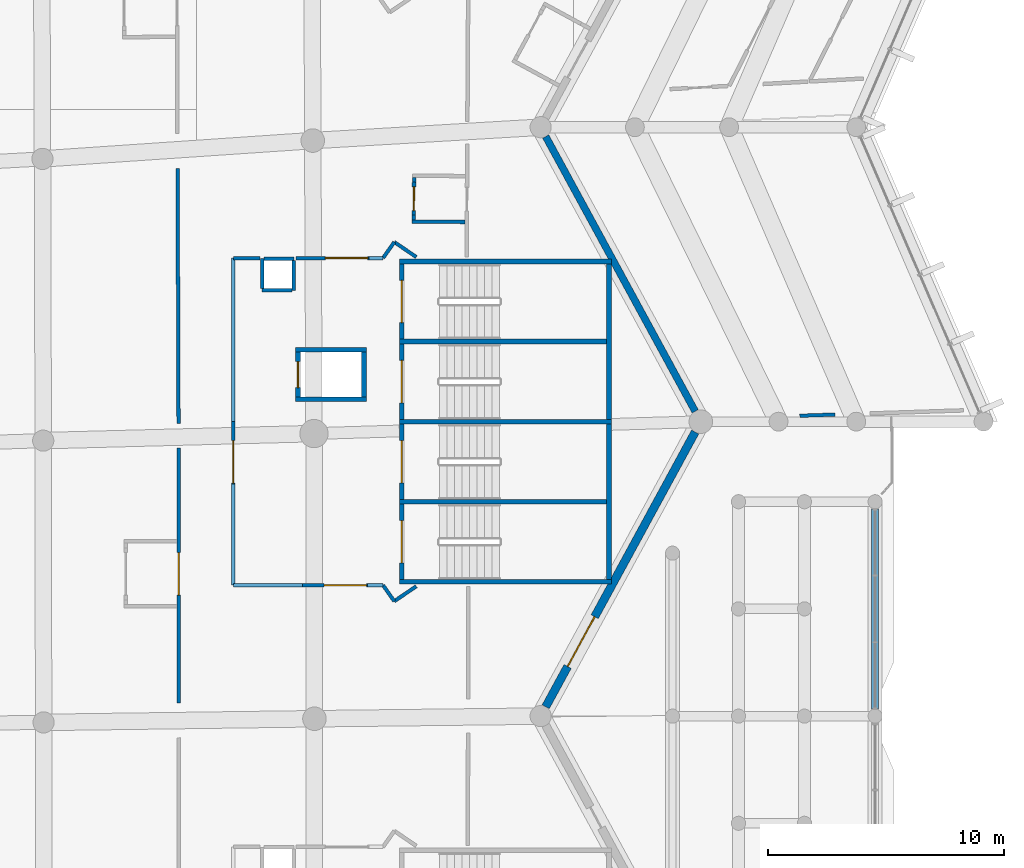
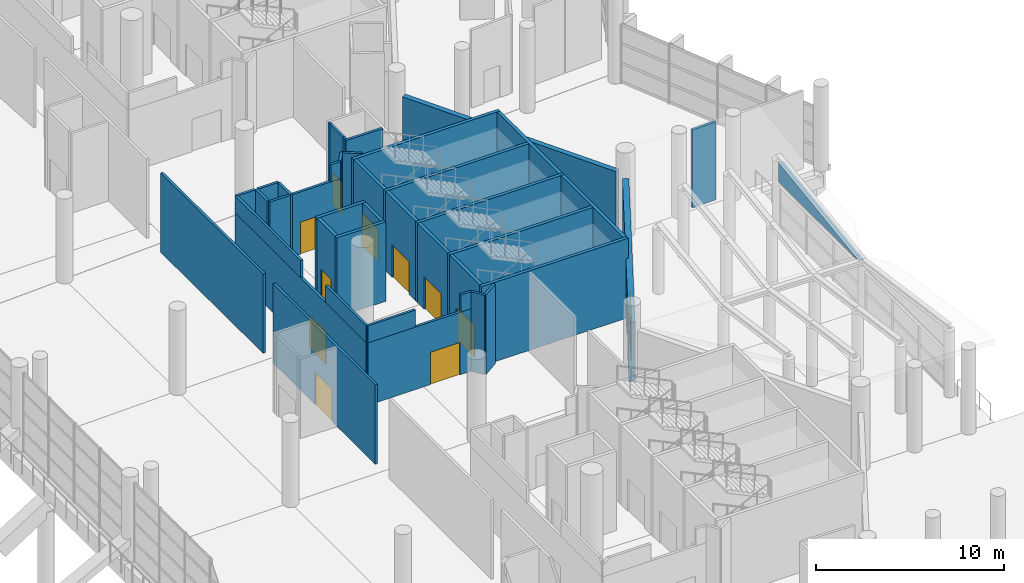
# One storey, part 192 of 271: 42 walls, 11 doors, 11 openings.
"""IFC4 building model written with IfcOpenShell, lengths in metres."""

from ifc_helpers import new_model, si_unit, direction, frame, frame_2d, origin, place, context, subcontext, project, spatial, polyline, rectangle, outline, extrude, material, layer, layer_set, type_object, element, fill, save


model = new_model("IFC4")

# Units and contexts
model_context = context("Model", 3, precision=1e-05, world=origin(), true_north=direction((0.0, 1.0)))
body_context = subcontext(model_context, "Body", "Model", "MODEL_VIEW")
ifc_project = project(units=[si_unit("LENGTHUNIT", "METRE"), si_unit("AREAUNIT", "SQUARE_METRE"), si_unit("VOLUMEUNIT", "CUBIC_METRE"), si_unit("PLANEANGLEUNIT", "RADIAN"), si_unit("MASSUNIT", "GRAM", prefix="KILO")], contexts=[model_context])

# Site, building, storey
site_placement = place(None, origin())
site = spatial("IfcSite", under=ifc_project, at=site_placement, CompositionType="ELEMENT")
building_placement = place(site_placement, origin())
building = spatial("IfcBuilding", under=site, at=building_placement, Name="Meseta Stadium", CompositionType="ELEMENT")
storey_placement = place(building_placement, frame((0.0, 0.0, 6.5)))
storey = spatial("IfcBuildingStorey", under=building, at=storey_placement, Name="L01", CompositionType="ELEMENT", Elevation=6.5)

# Walls
ifc_material_1 = material(Name="Concrete C40/50", Category="concrete")
ifc_layer_1 = layer(ifc_material_1, 0.199951171875)
ifc_layer_set_1 = layer_set([ifc_layer_1], Name="Core divider wall 200")
wall_type_1 = type_object("IfcWallType", Name="Core divider wall 200", PredefinedType="SHEAR", material=ifc_layer_set_1)
for number, where, z_axis, x_axis, name in (
    (1, (97.60009765625, 15.35009765625, 0.0), (0.0, 0.0, 1.0), (-1.0, 0.0, 0.0), "Core 04 L01 stair A divider wall"),
    (2, (97.60009765625, 22.14990234375, 0.0), (0.0, 0.0, 1.0), (-1.0, 0.0, 0.0), "Core 04 L01 stair B divider wall"),
):
    element("IfcWall", number, at=place(storey_placement, frame(where, z_axis=z_axis, x_axis=x_axis)), inside=storey, type_object=wall_type_1, Name=name, PredefinedType="SHEAR", context=body_context, shape_type="SweptSolid", body=[
        extrude(rectangle(XDim=9.0, YDim=0.199951171875, at=frame_2d((4.5, 0.0))), origin(), (0.0, 0.0, 1.0), 5.14990234375),
    ])
ifc_material_2 = material(Name="Concrete C40/50", Category="concrete")
ifc_layer_2 = layer(ifc_material_2, 0.199951171875)
ifc_layer_set_2 = layer_set([ifc_layer_2], Name="Core shaft wall 200")
wall_type_2 = type_object("IfcWallType", Name="Core shaft wall 200", PredefinedType="SHEAR", material=ifc_layer_set_2)
for number, where, z_axis, x_axis, name in (
    (3, (97.60009765625, 11.949951171875, 0.0), (0.0, 0.0, 1.0), (-1.0, 0.0, 0.0), "Core 04 L01 stair wall A-side"),
    (4, (97.60009765625, 18.75, 0.0), (0.0, 0.0, 1.0), (-1.0, 0.0, 0.0), "Core 04 L01 stair wall shared"),
    (5, (97.60009765625, 25.550048828125, 0.0), (0.0, 0.0, 1.0), (-1.0, 0.0, 0.0), "Core 04 L01 stair wall B-side"),
):
    element("IfcWall", number, at=place(storey_placement, frame(where, z_axis=z_axis, x_axis=x_axis)), inside=storey, type_object=wall_type_2, Name=name, PredefinedType="SHEAR", context=body_context, shape_type="SweptSolid", body=[
        extrude(rectangle(XDim=9.0, YDim=0.199951171875, at=frame_2d((4.5, 0.0))), origin(), (0.0, 0.0, 1.0), 5.14990234375),
    ])
for number, where, z_axis, x_axis, name in (
    (6, (97.5, 12.050048828125, 0.0), (0.0, 0.0, 1.0), (0.0, 1.0, 0.0), "Core 04 L01 stair A outer end wall"),
    (7, (97.5, 18.85009765625, 0.0), (0.0, 0.0, 1.0), (0.0, 1.0, 0.0), "Core 04 L01 stair B outer end wall"),
):
    element("IfcWall", number, at=place(storey_placement, frame(where, z_axis=z_axis, x_axis=x_axis)), inside=storey, type_object=wall_type_2, Name=name, PredefinedType="SHEAR", context=body_context, shape_type="SweptSolid", body=[
        extrude(rectangle(XDim=6.599853515625, YDim=0.199951171875, at=frame_2d((3.2998046875, 0.0))), origin(), (0.0, 0.0, 1.0), 5.14990234375),
    ])

# Wall, opening, door
wall_1_placement = place(storey_placement, frame((88.699951171875, 12.050048828125, 0.0), z_axis=(0.0, 0.0, 1.0), x_axis=(0.0, 1.0, 0.0)))
wall_1 = element("IfcWall", 8, at=wall_1_placement, inside=storey, type_object=wall_type_2, Name="Core 04 L01 stair A1 inner end wall", PredefinedType="SHEAR", context=body_context, shape_type="SweptSolid", body=[
    extrude(rectangle(XDim=3.199951171875, YDim=0.199951171875, at=frame_2d((1.60009765625, 0.0))), origin(), (0.0, 0.0, 1.0), 5.14990234375),
])
opening_1_placement = place(wall_1_placement, frame((0.699951171875, 0.0, 0.0)))
opening_1 = element("IfcOpeningElement", 9, at=opening_1_placement, cuts=wall_1, Name="Opening D075", PredefinedType="OPENING", context=body_context, shape_type="SweptSolid", body=[
    extrude(rectangle(XDim=1.800048828125, YDim=2.10009765625, at=frame_2d((0.89990234375, 1.050048828125))), frame((0.0, 0.10986328125, 0.0), z_axis=(0.0, -1.0, 0.0), x_axis=(1.0, 0.0, 0.0)), (0.0, 0.0, 1.0), 0.219970703125),
])
ifc_material_3 = material(Name="Steel", Category="steel")
door_type_1 = type_object("IfcDoorType", Name="Stair door 1800x2100", OperationType="DOUBLE_DOOR_SINGLE_SWING", PredefinedType="DOOR", material=ifc_material_3)
door_1_placement = place(opening_1_placement, origin())
door_1 = element("IfcDoor", 10, at=door_1_placement, inside=storey, type_object=door_type_1, Name="Stair A1 door 04 L01", OperationType="DOUBLE_DOOR_SINGLE_SWING", OverallHeight=2.10009765625, OverallWidth=1.800048828125, PredefinedType="DOOR", context=body_context, shape_type="SweptSolid", body=[
    extrude(rectangle(XDim=1.800048828125, YDim=2.10009765625, at=frame_2d((0.89990234375, 1.050048828125))), frame((0.0, 0.02490234375, 0.0), z_axis=(0.0, -1.0, 0.0), x_axis=(1.0, 0.0, 0.0)), (0.0, 0.0, 1.0), 0.050048828125),
])
fill(opening_1, door_1)

wall_2_placement = place(storey_placement, frame((88.699951171875, 15.449951171875, 0.0), z_axis=(0.0, 0.0, 1.0), x_axis=(0.0, 1.0, 0.0)))
wall_2 = element("IfcWall", 11, at=wall_2_placement, inside=storey, type_object=wall_type_2, Name="Core 04 L01 stair A2 inner end wall", PredefinedType="SHEAR", context=body_context, shape_type="SweptSolid", body=[
    extrude(rectangle(XDim=3.199951171875, YDim=0.199951171875, at=frame_2d((1.60009765625, 0.0))), origin(), (0.0, 0.0, 1.0), 5.14990234375),
])
opening_2_placement = place(wall_2_placement, frame((0.699951171875, 0.0, 0.0)))
opening_2 = element("IfcOpeningElement", 12, at=opening_2_placement, cuts=wall_2, Name="Opening D076", PredefinedType="OPENING", context=body_context, shape_type="SweptSolid", body=[
    extrude(rectangle(XDim=1.800048828125, YDim=2.10009765625, at=frame_2d((0.89990234375, 1.050048828125))), frame((0.0, 0.10986328125, 0.0), z_axis=(0.0, -1.0, 0.0), x_axis=(1.0, 0.0, 0.0)), (0.0, 0.0, 1.0), 0.219970703125),
])
door_2_placement = place(opening_2_placement, origin())
door_2 = element("IfcDoor", 13, at=door_2_placement, inside=storey, type_object=door_type_1, Name="Stair A2 door 04 L01", OperationType="DOUBLE_DOOR_SINGLE_SWING", OverallHeight=2.10009765625, OverallWidth=1.800048828125, PredefinedType="DOOR", context=body_context, shape_type="SweptSolid", body=[
    extrude(rectangle(XDim=1.800048828125, YDim=2.10009765625, at=frame_2d((0.89990234375, 1.050048828125))), frame((0.0, 0.02490234375, 0.0), z_axis=(0.0, -1.0, 0.0), x_axis=(1.0, 0.0, 0.0)), (0.0, 0.0, 1.0), 0.050048828125),
])
fill(opening_2, door_2)

wall_3_placement = place(storey_placement, frame((88.699951171875, 18.85009765625, 0.0), z_axis=(0.0, 0.0, 1.0), x_axis=(0.0, 1.0, 0.0)))
wall_3 = element("IfcWall", 14, at=wall_3_placement, inside=storey, type_object=wall_type_2, Name="Core 04 L01 stair B1 inner end wall", PredefinedType="SHEAR", context=body_context, shape_type="SweptSolid", body=[
    extrude(rectangle(XDim=3.199951171875, YDim=0.199951171875, at=frame_2d((1.60009765625, 0.0))), origin(), (0.0, 0.0, 1.0), 5.14990234375),
])
opening_3_placement = place(wall_3_placement, frame((0.699951171875, 0.0, 0.0)))
opening_3 = element("IfcOpeningElement", 15, at=opening_3_placement, cuts=wall_3, Name="Opening D077", PredefinedType="OPENING", context=body_context, shape_type="SweptSolid", body=[
    extrude(rectangle(XDim=1.800048828125, YDim=2.10009765625, at=frame_2d((0.89990234375, 1.050048828125))), frame((0.0, 0.10986328125, 0.0), z_axis=(0.0, -1.0, 0.0), x_axis=(1.0, 0.0, 0.0)), (0.0, 0.0, 1.0), 0.219970703125),
])
door_3_placement = place(opening_3_placement, origin())
door_3 = element("IfcDoor", 16, at=door_3_placement, inside=storey, type_object=door_type_1, Name="Stair B1 door 04 L01", OperationType="DOUBLE_DOOR_SINGLE_SWING", OverallHeight=2.10009765625, OverallWidth=1.800048828125, PredefinedType="DOOR", context=body_context, shape_type="SweptSolid", body=[
    extrude(rectangle(XDim=1.800048828125, YDim=2.10009765625, at=frame_2d((0.89990234375, 1.050048828125))), frame((0.0, 0.02490234375, 0.0), z_axis=(0.0, -1.0, 0.0), x_axis=(1.0, 0.0, 0.0)), (0.0, 0.0, 1.0), 0.050048828125),
])
fill(opening_3, door_3)

wall_4_placement = place(storey_placement, frame((88.699951171875, 22.25, 0.0), z_axis=(0.0, 0.0, 1.0), x_axis=(0.0, 1.0, 0.0)))
wall_4 = element("IfcWall", 17, at=wall_4_placement, inside=storey, type_object=wall_type_2, Name="Core 04 L01 stair B2 inner end wall", PredefinedType="SHEAR", context=body_context, shape_type="SweptSolid", body=[
    extrude(rectangle(XDim=3.199951171875, YDim=0.199951171875, at=frame_2d((1.60009765625, 0.0))), origin(), (0.0, 0.0, 1.0), 5.14990234375),
])
opening_4_placement = place(wall_4_placement, frame((0.699951171875, 0.0, 0.0)))
opening_4 = element("IfcOpeningElement", 18, at=opening_4_placement, cuts=wall_4, Name="Opening D078", PredefinedType="OPENING", context=body_context, shape_type="SweptSolid", body=[
    extrude(rectangle(XDim=1.800048828125, YDim=2.10009765625, at=frame_2d((0.89990234375, 1.050048828125))), frame((0.0, 0.10986328125, 0.0), z_axis=(0.0, -1.0, 0.0), x_axis=(1.0, 0.0, 0.0)), (0.0, 0.0, 1.0), 0.219970703125),
])
door_4_placement = place(opening_4_placement, origin())
door_4 = element("IfcDoor", 19, at=door_4_placement, inside=storey, type_object=door_type_1, Name="Stair B2 door 04 L01", OperationType="DOUBLE_DOOR_SINGLE_SWING", OverallHeight=2.10009765625, OverallWidth=1.800048828125, PredefinedType="DOOR", context=body_context, shape_type="SweptSolid", body=[
    extrude(rectangle(XDim=1.800048828125, YDim=2.10009765625, at=frame_2d((0.89990234375, 1.050048828125))), frame((0.0, 0.02490234375, 0.0), z_axis=(0.0, -1.0, 0.0), x_axis=(1.0, 0.0, 0.0)), (0.0, 0.0, 1.0), 0.050048828125),
])
fill(opening_4, door_4)

# Walls
for number, where, z_axis, x_axis, name in (
    (20, (87.199951171875, 19.699951171875, 0.0), (0.0, 0.0, 1.0), (-1.0, 0.0, 0.0), "Core 04 L01 lift shaft wall left"),
    (21, (87.199951171875, 21.800048828125, 0.0), (0.0, 0.0, 1.0), (-1.0, 0.0, 0.0), "Core 04 L01 lift shaft wall right"),
):
    element("IfcWall", number, at=place(storey_placement, frame(where, z_axis=z_axis, x_axis=x_axis)), inside=storey, type_object=wall_type_2, Name=name, PredefinedType="SHEAR", context=body_context, shape_type="SweptSolid", body=[
        extrude(rectangle(XDim=3.0, YDim=0.199951171875, at=frame_2d((1.5, 0.0))), origin(), (0.0, 0.0, 1.0), 5.14990234375),
    ])
wall_5_placement = place(storey_placement, frame((87.10009765625, 19.800048828125, 0.0), z_axis=(0.0, 0.0, 1.0), x_axis=(0.0, 1.0, 0.0)))
element("IfcWall", 22, at=wall_5_placement, inside=storey, type_object=wall_type_2, Name="Core 04 L01 lift shaft back wall", PredefinedType="SHEAR", context=body_context, shape_type="SweptSolid", body=[
    extrude(rectangle(XDim=1.89990234375, YDim=0.199951171875, at=frame_2d((0.949951171875, 0.0))), origin(), (0.0, 0.0, 1.0), 5.14990234375),
])

# Wall, opening, door
wall_6_placement = place(storey_placement, frame((84.300048828125, 19.800048828125, 0.0), z_axis=(0.0, 0.0, 1.0), x_axis=(0.0, 1.0, 0.0)))
wall_6 = element("IfcWall", 23, at=wall_6_placement, inside=storey, type_object=wall_type_2, Name="Core 04 L01 lift shaft front wall", PredefinedType="SHEAR", context=body_context, shape_type="SweptSolid", body=[
    extrude(rectangle(XDim=1.89990234375, YDim=0.199951171875, at=frame_2d((0.949951171875, 0.0))), origin(), (0.0, 0.0, 1.0), 5.14990234375),
])
opening_5_placement = place(wall_6_placement, frame((0.39990234375, 0.0, 0.0)))
opening_5 = element("IfcOpeningElement", 24, at=opening_5_placement, cuts=wall_6, Name="Opening LD21", PredefinedType="OPENING", context=body_context, shape_type="SweptSolid", body=[
    extrude(rectangle(XDim=1.10009765625, YDim=2.10009765625, at=frame_2d((0.550048828125, 1.050048828125))), frame((0.0, 0.10986328125, 0.0), z_axis=(0.0, -1.0, 0.0), x_axis=(1.0, 0.0, 0.0)), (0.0, 0.0, 1.0), 0.219970703125),
])
ifc_material_4 = material(Name="Steel", Category="steel")
door_type_2 = type_object("IfcDoorType", Name="Lift landing door 1100x2100", OperationType="SLIDING_TO_LEFT", PredefinedType="DOOR", material=ifc_material_4)
door_5_placement = place(opening_5_placement, origin())
door_5 = element("IfcDoor", 25, at=door_5_placement, inside=storey, type_object=door_type_2, Name="Lift landing door LD21", OperationType="SLIDING_TO_LEFT", OverallHeight=2.10009765625, OverallWidth=1.10009765625, PredefinedType="DOOR", context=body_context, shape_type="SweptSolid", body=[
    extrude(rectangle(XDim=1.10009765625, YDim=2.10009765625, at=frame_2d((0.550048828125, 1.050048828125))), frame((0.0, 0.02490234375, 0.0), z_axis=(0.0, -1.0, 0.0), x_axis=(1.0, 0.0, 0.0)), (0.0, 0.0, 1.0), 0.050048828125),
])
fill(opening_5, door_5)

# Wall
ifc_material_5 = material(Name="Precast concrete C40/50", Category="concrete")
ifc_layer_3 = layer(ifc_material_5, 0.300048828125)
ifc_layer_set_3 = layer_set([ifc_layer_3], Name="Gate facade panel wall 300")
wall_type_3 = type_object("IfcWallType", Name="Gate facade panel wall 300", PredefinedType="SOLIDWALL", material=ifc_layer_set_3)
wall_7_placement = place(storey_placement, frame((108.800048828125, 6.550048828125, 2.99609375), z_axis=(0.0, 0.0, 1.0), x_axis=(0.0, 1.0, 0.0)))
element("IfcWall", 26, at=wall_7_placement, inside=storey, type_object=wall_type_3, Name="Gate 1 gable panel wall", PredefinedType="SOLIDWALL", context=body_context, shape_type="SweptSolid", body=[
    extrude(outline(polyline([(0.0, 0.0), (8.5, 0.0), (8.5, 1.241943359375), (0.0, 0.052001953125), (0.0, 0.0)])), frame((0.0, 0.14990234375, 0.0), z_axis=(0.0, -1.0, 0.0), x_axis=(1.0, 0.0, 0.0)), (0.0, 0.0, 1.0), 0.300048828125),
])

# Wall, opening, door
ifc_material_6 = material(Name="Masonry blockwork", Category="masonry")
ifc_layer_4 = layer(ifc_material_6, 0.14990234375)
ifc_layer_set_4 = layer_set([ifc_layer_4], Name="Partition 150")
wall_type_4 = type_object("IfcWallType", Name="Partition 150", PredefinedType="PARTITIONING", material=ifc_layer_set_4)
wall_8_placement = place(storey_placement, frame((79.229736328125, 17.64013671875, 0.0), z_axis=(0.0, 0.0, 1.0), x_axis=(0.0007662833, -0.999999706405, 0.0)))
wall_8 = element("IfcWall", 27, at=wall_8_placement, inside=storey, type_object=wall_type_4, Name="Partition L01 L01-cell02-0-0", PredefinedType="PARTITIONING", context=body_context, shape_type="SweptSolid", body=[
    extrude(rectangle(XDim=10.83251953125, YDim=0.14990234375, at=frame_2d((5.416259765625, 0.0))), origin(), (0.0, 0.0, 1.0), 5.14990234375),
])
opening_6_placement = place(wall_8_placement, frame((4.449951171875, 0.0, 0.0)))
opening_6 = element("IfcOpeningElement", 28, at=opening_6_placement, cuts=wall_8, Name="Opening D642", PredefinedType="OPENING", context=body_context, shape_type="SweptSolid", body=[
    extrude(rectangle(XDim=1.800048828125, YDim=2.10009765625, at=frame_2d((0.89990234375, 1.050048828125))), frame((0.0, 0.0849609375, 0.0), z_axis=(0.0, -1.0, 0.0), x_axis=(1.0, 0.0, 0.0)), (0.0, 0.0, 1.0), 0.169921875),
])
ifc_material_7 = material(Name="Steel", Category="steel")
door_type_3 = type_object("IfcDoorType", Name="Fire double door 1800x2100 EI2 60", OperationType="DOUBLE_DOOR_SINGLE_SWING", PredefinedType="DOOR", material=ifc_material_7)
door_6_placement = place(opening_6_placement, origin())
door_6 = element("IfcDoor", 29, at=door_6_placement, inside=storey, type_object=door_type_3, Name="Door D642", OperationType="DOUBLE_DOOR_SINGLE_SWING", OverallHeight=2.10009765625, OverallWidth=1.800048828125, PredefinedType="DOOR", context=body_context, shape_type="SweptSolid", body=[
    extrude(rectangle(XDim=1.800048828125, YDim=2.10009765625, at=frame_2d((0.89990234375, 1.050048828125))), frame((0.0, 0.02490234375, 0.0), z_axis=(0.0, -1.0, 0.0), x_axis=(1.0, 0.0, 0.0)), (0.0, 0.0, 1.0), 0.050048828125),
])
fill(opening_6, door_6)

# Walls
wall_9_placement = place(storey_placement, frame((79.186279296875, 29.50390625, 0.0), z_axis=(0.0, 0.0, 1.0), x_axis=(0.003787510032, -0.999992827358, 0.0)))
element("IfcWall", 30, at=wall_9_placement, inside=storey, type_object=wall_type_4, Name="Partition L01 L01-cell03-0-0", PredefinedType="PARTITIONING", context=body_context, shape_type="SweptSolid", body=[
    extrude(rectangle(XDim=10.8291015625, YDim=0.14990234375, at=frame_2d((5.41455078125, 0.0))), origin(), (0.0, 0.0, 1.0), 5.14990234375),
])
wall_10_placement = place(storey_placement, frame((107.0888671875, 19.049072265625, 0.0), z_axis=(0.0, 0.0, 1.0), x_axis=(-0.999457207836, -0.03294373545, 0.0)))
element("IfcWall", 31, at=wall_10_placement, inside=storey, type_object=wall_type_4, Name="Partition L01 L01-ring03-0w", PredefinedType="PARTITIONING", context=body_context, shape_type="SweptSolid", body=[
    extrude(rectangle(XDim=1.489501953125, YDim=0.14990234375, at=frame_2d((0.74462890625, 0.0))), origin(), (0.0, 0.0, 1.0), 5.050048828125),
])
wall_11_placement = place(storey_placement, frame((84.125, 24.324951171875, 0.0), z_axis=(0.0, 0.0, 1.0), x_axis=(0.0, 1.0, 0.0)))
element("IfcWall", 32, at=wall_11_placement, inside=storey, type_object=wall_type_4, Name="Pressurisation shaft wall L01 core 04", PredefinedType="PARTITIONING", context=body_context, shape_type="SweptSolid", body=[
    extrude(rectangle(XDim=1.275146484375, YDim=0.14990234375, at=frame_2d((0.6376953125, 0.0))), origin(), (0.0, 0.0, 1.0), 5.14990234375),
])
wall_12_placement = place(storey_placement, frame((84.125, 25.675048828125, 0.0), z_axis=(0.0, 0.0, 1.0), x_axis=(-1.0, 0.0, 0.0)))
element("IfcWall", 33, at=wall_12_placement, inside=storey, type_object=wall_type_4, Name="Pressurisation shaft wall L01 core 04", PredefinedType="PARTITIONING", context=body_context, shape_type="SweptSolid", body=[
    extrude(rectangle(XDim=1.27490234375, YDim=0.14990234375, at=frame_2d((0.637451171875, 0.0))), origin(), (0.0, 0.0, 1.0), 5.14990234375),
])
for number, where, z_axis, x_axis, name in (
    (34, (82.77490234375, 25.675048828125, 0.0), (0.0, 0.0, 1.0), (0.0, -1.0, 0.0), "Pressurisation shaft wall L01 core 04"),
    (35, (82.77490234375, 24.324951171875, 0.0), (0.0, 0.0, 1.0), (1.0, 0.0, 0.0), "Pressurisation shaft wall L01 core 04"),
):
    element("IfcWall", number, at=place(storey_placement, frame(where, z_axis=z_axis, x_axis=x_axis)), inside=storey, type_object=wall_type_4, Name=name, PredefinedType="PARTITIONING", context=body_context, shape_type="SweptSolid", body=[
        extrude(rectangle(XDim=1.275146484375, YDim=0.14990234375, at=frame_2d((0.6376953125, 0.0))), origin(), (0.0, 0.0, 1.0), 5.14990234375),
    ])
wall_13_placement = place(storey_placement, frame((89.31982421875, 25.739501953125, 0.0), z_axis=(0.0, 0.0, 1.0), x_axis=(-0.826749248939, 0.562570599462, 0.0)))
element("IfcWall", 36, at=wall_13_placement, inside=storey, type_object=wall_type_4, Name="Stair vestibule wall L01 core 04", PredefinedType="PARTITIONING", context=body_context, shape_type="SweptSolid", body=[
    extrude(rectangle(XDim=1.12744140625, YDim=0.14990234375, at=frame_2d((0.563720703125, 0.0))), origin(), (0.0, 0.0, 1.0), 5.14990234375),
])
wall_14_placement = place(storey_placement, frame((88.3876953125, 26.373779296875, 0.0), z_axis=(0.0, 0.0, 1.0), x_axis=(-0.5761634622, -0.817334487726, 0.0)))
element("IfcWall", 37, at=wall_14_placement, inside=storey, type_object=wall_type_4, Name="Stair vestibule wall L01 core 04", PredefinedType="PARTITIONING", context=body_context, shape_type="SweptSolid", body=[
    extrude(rectangle(XDim=0.830078125, YDim=0.14990234375, at=frame_2d((0.4150390625, 0.0))), origin(), (0.0, 0.0, 1.0), 5.14990234375),
])

# Wall, opening, door
wall_15_placement = place(storey_placement, frame((87.909423828125, 25.6953125, 0.0), z_axis=(0.0, 0.0, 1.0), x_axis=(-0.999999997827, -6.5919578e-05, 0.0)))
wall_15 = element("IfcWall", 38, at=wall_15_placement, inside=storey, type_object=wall_type_4, Name="Stair vestibule wall L01 core 04", PredefinedType="PARTITIONING", context=body_context, shape_type="SweptSolid", body=[
    extrude(rectangle(XDim=3.70361328125, YDim=0.14990234375, at=frame_2d((1.851806640625, 0.0))), origin(), (0.0, 0.0, 1.0), 4.050048828125),
])
opening_7_placement = place(wall_15_placement, frame((0.64990234375, 0.0, 0.0)))
opening_7 = element("IfcOpeningElement", 39, at=opening_7_placement, cuts=wall_15, Name="Opening D754", PredefinedType="OPENING", context=body_context, shape_type="SweptSolid", body=[
    extrude(rectangle(XDim=1.800048828125, YDim=2.10009765625, at=frame_2d((0.89990234375, 1.050048828125))), frame((0.0, 0.0849609375, 0.0), z_axis=(0.0, -1.0, 0.0), x_axis=(1.0, 0.0, 0.0)), (0.0, 0.0, 1.0), 0.169921875),
])
door_7_placement = place(opening_7_placement, origin())
door_7 = element("IfcDoor", 40, at=door_7_placement, inside=storey, type_object=door_type_3, Name="Stair vestibule door L01 core 04", OperationType="DOUBLE_DOOR_SINGLE_SWING", OverallHeight=2.10009765625, OverallWidth=1.800048828125, PredefinedType="DOOR", context=body_context, shape_type="SweptSolid", body=[
    extrude(rectangle(XDim=1.800048828125, YDim=2.10009765625, at=frame_2d((0.89990234375, 1.050048828125))), frame((0.0, 0.02490234375, 0.0), z_axis=(0.0, -1.0, 0.0), x_axis=(1.0, 0.0, 0.0)), (0.0, 0.0, 1.0), 0.050048828125),
])
fill(opening_7, door_7)

# Walls
wall_16_placement = place(storey_placement, frame((87.909423828125, 25.6953125, 4.050048828125), z_axis=(0.0, 0.0, 1.0), x_axis=(-1.0, 0.0, 0.0)))
element("IfcWall", 41, at=wall_16_placement, inside=storey, type_object=wall_type_4, Name="Stair vestibule wall L01 core 04", PredefinedType="PARTITIONING", context=body_context, shape_type="SweptSolid", body=[
    extrude(rectangle(XDim=0.599853515625, YDim=0.14990234375, at=frame_2d((0.2998046875, 0.0))), origin(), (0.0, 0.0, 1.0), 1.099853515625),
])
wall_17_placement = place(storey_placement, frame((82.68994140625, 25.695068359375, 0.0), z_axis=(0.0, 0.0, 1.0), x_axis=(-1.0, 0.0, 0.0)))
element("IfcWall", 42, at=wall_17_placement, inside=storey, type_object=wall_type_4, Name="Stair vestibule wall L01 core 04", PredefinedType="PARTITIONING", context=body_context, shape_type="SweptSolid", body=[
    extrude(rectangle(XDim=1.135009765625, YDim=0.14990234375, at=frame_2d((0.5673828125, 0.0))), origin(), (0.0, 0.0, 1.0), 5.14990234375),
])

# Wall, opening, door
wall_18_placement = place(storey_placement, frame((81.554931640625, 25.695068359375, 0.0), z_axis=(0.0, 0.0, 1.0), x_axis=(0.0, -1.0, 0.0)))
wall_18 = element("IfcWall", 43, at=wall_18_placement, inside=storey, type_object=wall_type_4, Name="Stair vestibule wall L01 core 04", PredefinedType="PARTITIONING", context=body_context, shape_type="SweptSolid", body=[
    extrude(rectangle(XDim=13.89013671875, YDim=0.14990234375, at=frame_2d((6.945068359375, 0.0))), origin(), (0.0, 0.0, 1.0), 4.050048828125),
])
opening_8_placement = place(wall_18_placement, frame((7.75, 0.0, 0.0)))
opening_8 = element("IfcOpeningElement", 44, at=opening_8_placement, cuts=wall_18, Name="Opening D753", PredefinedType="OPENING", context=body_context, shape_type="SweptSolid", body=[
    extrude(rectangle(XDim=1.800048828125, YDim=2.10009765625, at=frame_2d((0.89990234375, 1.050048828125))), frame((0.0, 0.0849609375, 0.0), z_axis=(0.0, -1.0, 0.0), x_axis=(1.0, 0.0, 0.0)), (0.0, 0.0, 1.0), 0.169921875),
])
door_8_placement = place(opening_8_placement, origin())
door_8 = element("IfcDoor", 45, at=door_8_placement, inside=storey, type_object=door_type_3, Name="Stair vestibule door L01 core 04", OperationType="DOUBLE_DOOR_SINGLE_SWING", OverallHeight=2.10009765625, OverallWidth=1.800048828125, PredefinedType="DOOR", context=body_context, shape_type="SweptSolid", body=[
    extrude(rectangle(XDim=1.800048828125, YDim=2.10009765625, at=frame_2d((0.89990234375, 1.050048828125))), frame((0.0, 0.02490234375, 0.0), z_axis=(0.0, -1.0, 0.0), x_axis=(1.0, 0.0, 0.0)), (0.0, 0.0, 1.0), 0.050048828125),
])
fill(opening_8, door_8)

# Walls
wall_19_placement = place(storey_placement, frame((81.554931640625, 25.695068359375, 4.050048828125), z_axis=(0.0, 0.0, 1.0), x_axis=(0.0, -1.0, 0.0)))
element("IfcWall", 46, at=wall_19_placement, inside=storey, type_object=wall_type_4, Name="Stair vestibule wall L01 core 04", PredefinedType="PARTITIONING", context=body_context, shape_type="SweptSolid", body=[
    extrude(rectangle(XDim=6.945068359375, YDim=0.14990234375, at=frame_2d((3.47265625, 0.0))), origin(), (0.0, 0.0, 1.0), 1.099853515625),
])
wall_20_placement = place(storey_placement, frame((81.554931640625, 16.094970703125, 4.050048828125), z_axis=(0.0, 0.0, 1.0), x_axis=(0.0, -1.0, 0.0)))
element("IfcWall", 47, at=wall_20_placement, inside=storey, type_object=wall_type_4, Name="Stair vestibule wall L01 core 04", PredefinedType="PARTITIONING", context=body_context, shape_type="SweptSolid", body=[
    extrude(rectangle(XDim=4.2900390625, YDim=0.14990234375, at=frame_2d((2.14501953125, 0.0))), origin(), (0.0, 0.0, 1.0), 1.099853515625),
])

# Wall, opening, door
wall_21_placement = place(storey_placement, frame((81.554931640625, 11.804931640625, 0.0), z_axis=(0.0, 0.0, 1.0), x_axis=(1.0, 0.0, 0.0)))
wall_21 = element("IfcWall", 48, at=wall_21_placement, inside=storey, type_object=wall_type_4, Name="Stair vestibule wall L01 core 04", PredefinedType="PARTITIONING", context=body_context, shape_type="SweptSolid", body=[
    extrude(rectangle(XDim=6.354248046875, YDim=0.14990234375, at=frame_2d((3.17724609375, 0.0))), origin(), (0.0, 0.0, 1.0), 4.050048828125),
])
opening_9_placement = place(wall_21_placement, frame((3.85009765625, 0.0, 0.0)))
opening_9 = element("IfcOpeningElement", 49, at=opening_9_placement, cuts=wall_21, Name="Opening D755", PredefinedType="OPENING", context=body_context, shape_type="SweptSolid", body=[
    extrude(rectangle(XDim=1.800048828125, YDim=2.10009765625, at=frame_2d((0.89990234375, 1.050048828125))), frame((0.0, 0.0849609375, 0.0), z_axis=(0.0, -1.0, 0.0), x_axis=(1.0, 0.0, 0.0)), (0.0, 0.0, 1.0), 0.169921875),
])
door_9_placement = place(opening_9_placement, origin())
door_9 = element("IfcDoor", 50, at=door_9_placement, inside=storey, type_object=door_type_3, Name="Stair vestibule door L01 core 04", OperationType="DOUBLE_DOOR_SINGLE_SWING", OverallHeight=2.10009765625, OverallWidth=1.800048828125, PredefinedType="DOOR", context=body_context, shape_type="SweptSolid", body=[
    extrude(rectangle(XDim=1.800048828125, YDim=2.10009765625, at=frame_2d((0.89990234375, 1.050048828125))), frame((0.0, 0.02490234375, 0.0), z_axis=(0.0, -1.0, 0.0), x_axis=(1.0, 0.0, 0.0)), (0.0, 0.0, 1.0), 0.050048828125),
])
fill(opening_9, door_9)

# Walls
wall_22_placement = place(storey_placement, frame((81.554931640625, 11.804931640625, 4.050048828125), z_axis=(0.0, 0.0, 1.0), x_axis=(1.0, 0.0, 0.0)))
element("IfcWall", 51, at=wall_22_placement, inside=storey, type_object=wall_type_4, Name="Stair vestibule wall L01 core 04", PredefinedType="PARTITIONING", context=body_context, shape_type="SweptSolid", body=[
    extrude(rectangle(XDim=2.932861328125, YDim=0.14990234375, at=frame_2d((1.46630859375, 0.0))), origin(), (0.0, 0.0, 1.0), 1.099853515625),
])
wall_23_placement = place(storey_placement, frame((87.2548828125, 11.804931640625, 4.050048828125), z_axis=(0.0, 0.0, 1.0), x_axis=(1.0, 0.0, 0.0)))
element("IfcWall", 52, at=wall_23_placement, inside=storey, type_object=wall_type_4, Name="Stair vestibule wall L01 core 04", PredefinedType="PARTITIONING", context=body_context, shape_type="SweptSolid", body=[
    extrude(rectangle(XDim=0.654296875, YDim=0.14990234375, at=frame_2d((0.3271484375, 0.0))), origin(), (0.0, 0.0, 1.0), 1.099853515625),
])
wall_24_placement = place(storey_placement, frame((87.9091796875, 11.804931640625, 0.0), z_axis=(0.0, 0.0, 1.0), x_axis=(0.575573582652, -0.81774999294, 0.0)))
element("IfcWall", 53, at=wall_24_placement, inside=storey, type_object=wall_type_4, Name="Stair vestibule wall L01 core 04", PredefinedType="PARTITIONING", context=body_context, shape_type="SweptSolid", body=[
    extrude(rectangle(XDim=0.82958984375, YDim=0.14990234375, at=frame_2d((0.414794921875, 0.0))), origin(), (0.0, 0.0, 1.0), 5.14990234375),
])
wall_25_placement = place(storey_placement, frame((88.38671875, 11.12646484375, 0.0), z_axis=(0.0, 0.0, 1.0), x_axis=(0.827055308354, 0.562120553728, 0.0)))
element("IfcWall", 54, at=wall_25_placement, inside=storey, type_object=wall_type_4, Name="Stair vestibule wall L01 core 04", PredefinedType="PARTITIONING", context=body_context, shape_type="SweptSolid", body=[
    extrude(rectangle(XDim=1.1279296875, YDim=0.14990234375, at=frame_2d((0.56396484375, 0.0))), origin(), (0.0, 0.0, 1.0), 5.14990234375),
])
wall_26_placement = place(storey_placement, frame((91.388916015625, 27.225341796875, 0.0), z_axis=(0.0, 0.0, 1.0), x_axis=(-0.99998087408, 0.006184777542, 0.0)))
element("IfcWall", 55, at=wall_26_placement, inside=storey, type_object=wall_type_4, Name="Partition L01 L01-cell03-2-0 vestibule", PredefinedType="PARTITIONING", context=body_context, shape_type="SweptSolid", body=[
    extrude(rectangle(XDim=2.25, YDim=0.14990234375, at=frame_2d((1.125, 0.0))), origin(), (0.0, 0.0, 1.0), 5.14990234375),
])
wall_27_placement = place(storey_placement, frame((89.21435546875, 27.313720703125, 0.0), z_axis=(0.0, 0.0, 1.0), x_axis=(0.007316877302, 0.999973231295, 0.0)))
element("IfcWall", 56, at=wall_27_placement, inside=storey, type_object=wall_type_4, Name="Partition L01 L01-cell03-2-0 vestibule", PredefinedType="PARTITIONING", context=body_context, shape_type="SweptSolid", body=[
    extrude(rectangle(XDim=0.2001953125, YDim=0.14990234375, at=frame_2d((0.10009765625, 0.0))), origin(), (0.0, 0.0, 1.0), 5.14990234375),
])

# Wall, opening, door
wall_28_placement = place(storey_placement, frame((89.2158203125, 27.513916015625, 0.0), z_axis=(0.0, 0.0, 1.0), x_axis=(0.005929438839, 0.999982420723, 0.0)))
wall_28 = element("IfcWall", 57, at=wall_28_placement, inside=storey, type_object=wall_type_4, Name="Partition L01 L01-cell03-2-0 vestibule", PredefinedType="PARTITIONING", context=body_context, shape_type="SweptSolid", body=[
    extrude(rectangle(XDim=1.39990234375, YDim=0.14990234375, at=frame_2d((0.699951171875, 0.0))), origin(), (0.0, 0.0, 1.0), 5.14990234375),
])
opening_10_placement = place(wall_28_placement, frame((0.199951171875, 0.0, 0.0)))
opening_10 = element("IfcOpeningElement", 58, at=opening_10_placement, cuts=wall_28, Name="Opening D890", PredefinedType="OPENING", context=body_context, shape_type="SweptSolid", body=[
    extrude(rectangle(XDim=1.0, YDim=2.10009765625, at=frame_2d((0.5, 1.050048828125))), frame((0.0, 0.0849609375, 0.0), z_axis=(0.0, -1.0, 0.0), x_axis=(1.0, 0.0, 0.0)), (0.0, 0.0, 1.0), 0.169921875),
])
ifc_material_8 = material(Name="Steel", Category="steel")
door_type_4 = type_object("IfcDoorType", Name="Fire door 1000x2100 EI2 60", OperationType="NOTDEFINED", PredefinedType="DOOR", material=ifc_material_8)
door_10_placement = place(opening_10_placement, origin())
door_10 = element("IfcDoor", 59, at=door_10_placement, inside=storey, type_object=door_type_4, Name="Vestibule door L01 L01-cell03-2-0", OperationType="SINGLE_SWING_LEFT", OverallHeight=2.10009765625, OverallWidth=1.0, PredefinedType="DOOR", context=body_context, shape_type="SweptSolid", body=[
    extrude(rectangle(XDim=1.0, YDim=2.10009765625, at=frame_2d((0.5, 1.050048828125))), frame((0.0, 0.02490234375, 0.0), z_axis=(0.0, -1.0, 0.0), x_axis=(1.0, 0.0, 0.0)), (0.0, 0.0, 1.0), 0.050048828125),
])
fill(opening_10, door_10)

# Walls
wall_29_placement = place(storey_placement, frame((89.22412109375, 28.913818359375, 0.0), z_axis=(0.0, 0.0, 1.0), x_axis=(0.007325810739, 0.999973165888, 0.0)))
element("IfcWall", 60, at=wall_29_placement, inside=storey, type_object=wall_type_4, Name="Partition L01 L01-cell03-2-0 vestibule", PredefinedType="PARTITIONING", context=body_context, shape_type="SweptSolid", body=[
    extrude(rectangle(XDim=0.199951171875, YDim=0.14990234375, at=frame_2d((0.10009765625, 0.0))), origin(), (0.0, 0.0, 1.0), 5.14990234375),
])
ifc_material_9 = material(Name="White precast concrete C40/50", Category="concrete")
ifc_layer_5 = layer(ifc_material_9, 0.300048828125)
ifc_layer_set_5 = layer_set([ifc_layer_5], Name="Pleated panel wall 300 concourse")
wall_type_5 = type_object("IfcWallType", Name="Pleated panel wall 300 concourse", PredefinedType="SOLIDWALL", material=ifc_layer_set_5)
wall_30_placement = place(storey_placement, frame((94.81494140625, 30.854736328125, 0.0), z_axis=(0.0, 0.0, 1.0), x_axis=(0.477867771117, -0.878431780691, 0.0)))
element("IfcWall", 61, at=wall_30_placement, inside=storey, type_object=wall_type_5, Name="Pleated facade panel L01 F06", PredefinedType="SOLIDWALL", context=body_context, shape_type="SweptSolid", body=[
    extrude(rectangle(XDim=13.2802734375, YDim=0.300048828125, at=frame_2d((6.64013671875, 0.0))), origin(), (0.0, 0.0, 1.0), 3.85009765625),
])

# Wall, opening, door
ifc_material_10 = material(Name="White precast concrete C40/50", Category="concrete")
ifc_layer_6 = layer(ifc_material_10, 0.35009765625)
ifc_layer_set_6 = layer_set([ifc_layer_6], Name="Pleated panel wall 350 gate")
wall_type_6 = type_object("IfcWallType", Name="Pleated panel wall 350 gate", PredefinedType="SOLIDWALL", material=ifc_layer_set_6)
wall_31_placement = place(storey_placement, frame((101.1611328125, 18.31103515625, 0.0), z_axis=(0.0, 0.0, 1.0), x_axis=(-0.477867771117, -0.878431780691, 0.0)))
wall_31 = element("IfcWall", 62, at=wall_31_placement, inside=storey, type_object=wall_type_6, Name="Pleated facade panel L01 F05", PredefinedType="SOLIDWALL", context=body_context, shape_type="SweptSolid", body=[
    extrude(rectangle(XDim=13.2802734375, YDim=0.35009765625, at=frame_2d((6.64013671875, 0.0))), origin(), (0.0, 0.0, 1.0), 3.85009765625),
])
opening_11_placement = place(wall_31_placement, frame((8.93017578125, 0.0, 0.0)))
opening_11 = element("IfcOpeningElement", 63, at=opening_11_placement, cuts=wall_31, Name="Opening D983", PredefinedType="OPENING", context=body_context, shape_type="SweptSolid", body=[
    extrude(rectangle(XDim=2.39990234375, YDim=2.800048828125, at=frame_2d((1.199951171875, 1.39990234375))), frame((0.0, 0.18505859375, 0.0), z_axis=(0.0, -1.0, 0.0), x_axis=(1.0, 0.0, 0.0)), (0.0, 0.0, 1.0), 0.3701171875),
])
ifc_material_11 = material(Name="Steel", Category="steel")
door_type_5 = type_object("IfcDoorType", Name="Hall door 2400x2800", OperationType="DOUBLE_DOOR_SINGLE_SWING", PredefinedType="DOOR", material=ifc_material_11)
door_11_placement = place(opening_11_placement, origin())
door_11 = element("IfcDoor", 64, at=door_11_placement, inside=storey, type_object=door_type_5, Name="Gate hall door 1", OperationType="DOUBLE_DOOR_SINGLE_SWING", OverallHeight=2.800048828125, OverallWidth=2.39990234375, PredefinedType="DOOR", context=body_context, shape_type="SweptSolid", body=[
    extrude(rectangle(XDim=2.39990234375, YDim=2.800048828125, at=frame_2d((1.199951171875, 1.39990234375))), frame((0.0, 0.02490234375, 0.0), z_axis=(0.0, -1.0, 0.0), x_axis=(1.0, 0.0, 0.0)), (0.0, 0.0, 1.0), 0.050048828125),
])
fill(opening_11, door_11)

save(model, "model.ifc")
